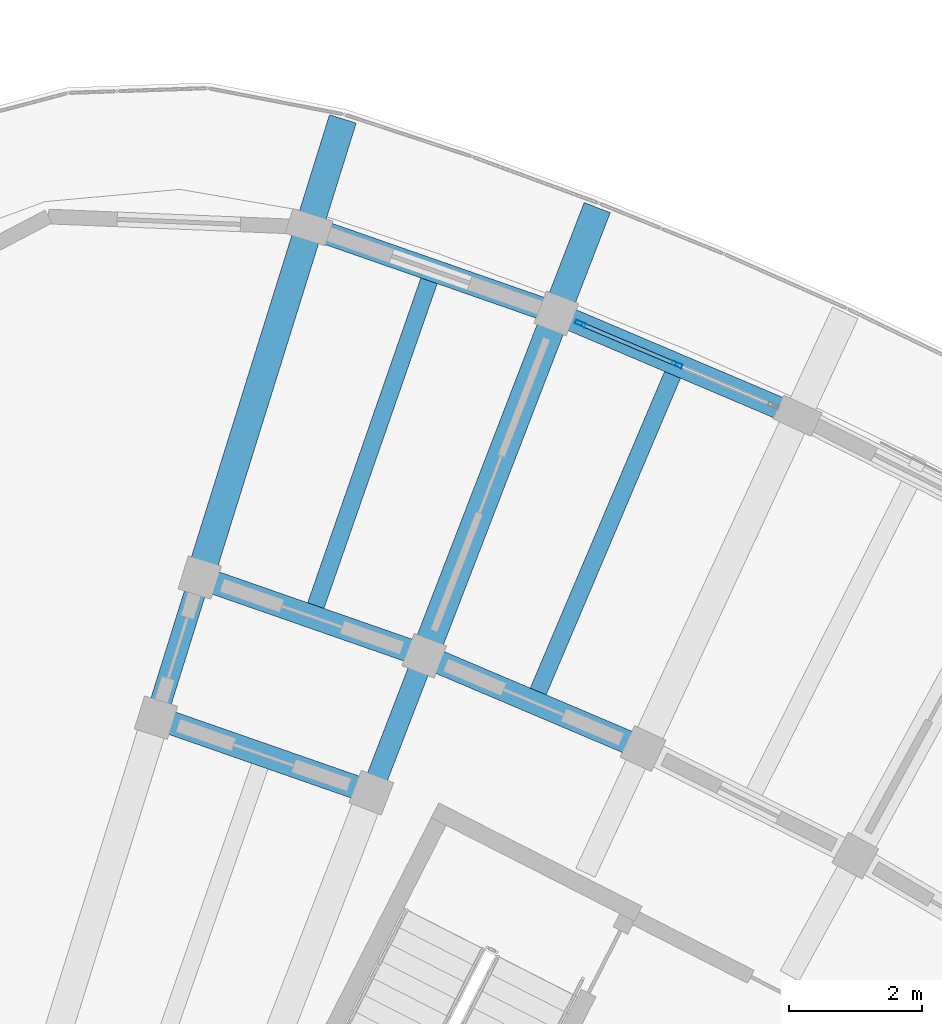
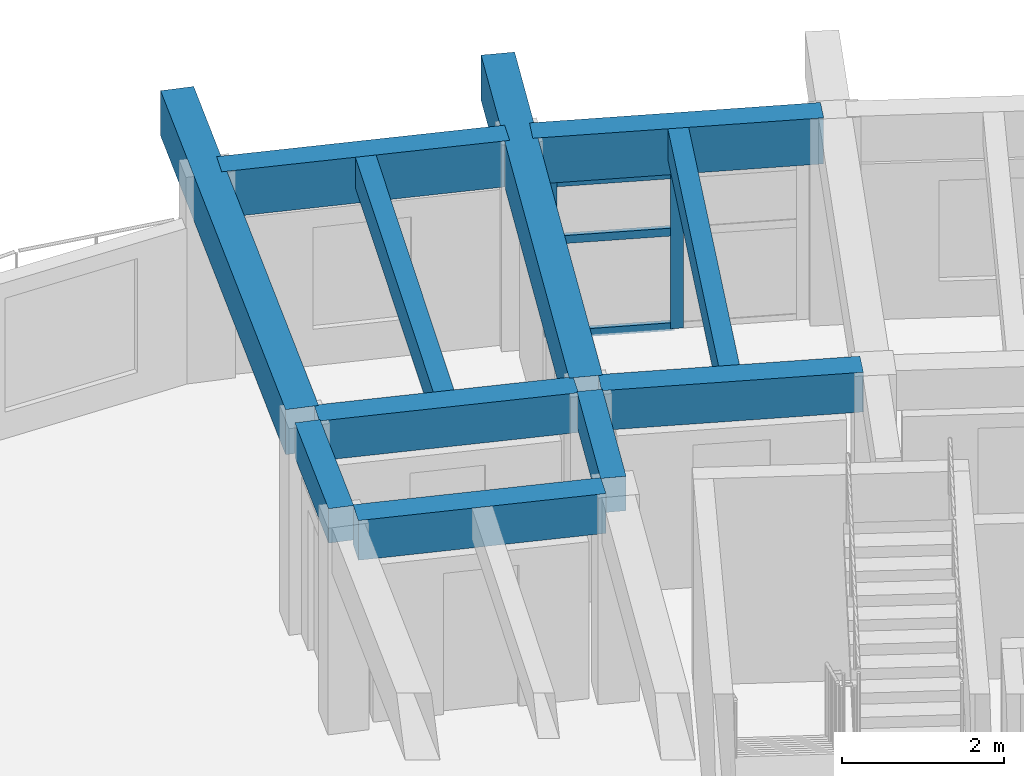
# One storey, part 12 of 36: 11 beams, 5 members, 1 element without a shape of its own.
"""IFC4 building model written with IfcOpenShell, lengths in metres."""

from ifc_helpers import new_model, si_unit, direction, frame, origin, origin_2d, place, context, subcontext, project, spatial, rectangle, hollow_rectangle, extrude, material, material_profile, profile_set, type_object, element, aggregate, save


model = new_model("IFC4")

# Units and contexts
model_context = context("Model", 3, precision=1e-05, world=origin(), true_north=direction((0.0, 1.0)))
body_context = subcontext(model_context, "Body", "Model", "MODEL_VIEW")
ifc_project = project(units=[si_unit("LENGTHUNIT", "METRE"), si_unit("AREAUNIT", "SQUARE_METRE"), si_unit("VOLUMEUNIT", "CUBIC_METRE"), si_unit("PLANEANGLEUNIT", "RADIAN"), si_unit("MASSUNIT", "GRAM", prefix="KILO")], contexts=[model_context])

# Site, building, storey
site_placement = place(None, origin())
site = spatial("IfcSite", under=ifc_project, at=site_placement, CompositionType="ELEMENT")
building_placement = place(site_placement, origin())
building = spatial("IfcBuilding", under=site, at=building_placement, Name="Tanwirah Colonnade Gardens", CompositionType="ELEMENT")
storey_placement = place(building_placement, frame((0.0, 0.0, 39.080078125)))
storey = spatial("IfcBuildingStorey", under=building, at=storey_placement, Name="L11", CompositionType="ELEMENT", Elevation=39.080078125)

# Beams
ifc_material_1 = material(Name="Precast concrete C40/50", Category="concrete")
ifc_material_profile_1 = material_profile(ifc_material_1, rectangle(XDim=0.320068359375, YDim=0.52001953125, at=origin_2d()), Name="PC-BM 320x520")
ifc_profile_set_1 = profile_set([ifc_material_profile_1], Name="Precast concrete C40/50")
beam_type_1 = type_object("IfcBeamType", Name="BM-PC320", PredefinedType="BEAM", material=ifc_profile_set_1)
for number, where, z_axis, x_axis, name in (
    (1, (139.729248046875, 108.7099609375, 2.85986328125), (0.360175656082, 0.932884503444, 0.0), (-0.932884503444, 0.360175656082, 0.0), "Block B L11 Corridor Tie Beam 14"),
    (2, (136.492431640625, 109.838623046875, 2.85986328125), (0.297857918398, 0.954610213882, 0.0), (-0.954610213882, 0.297857918398, 0.0), "Block B L11 Corridor Tie Beam 15"),
):
    element("IfcBeam", number, at=place(storey_placement, frame(where, z_axis=z_axis, x_axis=x_axis)), inside=storey, type_object=beam_type_1, Name=name, PredefinedType="BEAM", context=body_context, shape_type="SweptSolid", body=[
        extrude(rectangle(XDim=0.320068359375, YDim=0.52001953125, at=origin_2d()), origin(), (0.0, 0.0, 1.0), 1.89990234375),
    ])
ifc_material_profile_2 = material_profile(ifc_material_1, rectangle(XDim=0.35009765625, YDim=0.60009765625, at=origin_2d()), Name="PC-BM 350x600")
ifc_profile_set_2 = profile_set([ifc_material_profile_2], Name="Precast concrete C40/50")
beam_type_2 = type_object("IfcBeamType", Name="BM-PC350B", PredefinedType="BEAM", material=ifc_profile_set_2)
beam_1_placement = place(storey_placement, frame((143.609375, 109.288818359375, 2.81982421875), z_axis=(-0.920513294115, 0.390711242938, 0.0), x_axis=(-0.390711242938, -0.920513294115, 0.0)))
element("IfcBeam", 3, at=beam_1_placement, inside=storey, type_object=beam_type_2, Name="Block B L11 Circumferential Beam 13-R2", PredefinedType="BEAM", context=body_context, shape_type="SweptSolid", body=[
    extrude(rectangle(XDim=0.35009765625, YDim=0.60009765625, at=origin_2d()), origin(), (0.0, 0.0, 1.0), 3.262939453125),
])
beam_2_placement = place(storey_placement, frame((139.53369140625, 108.619384765625, 2.81982421875), z_axis=(-0.944248304077, 0.329234172358, 0.0), x_axis=(-0.329234172358, -0.944248304077, 0.0)))
element("IfcBeam", 4, at=beam_2_placement, inside=storey, type_object=beam_type_2, Name="Block B L11 Circumferential Beam 14-R1", PredefinedType="BEAM", context=body_context, shape_type="SweptSolid", body=[
    extrude(rectangle(XDim=0.35009765625, YDim=0.60009765625, at=origin_2d()), origin(), (0.0, 0.0, 1.0), 3.1181640625),
])
beam_3_placement = place(storey_placement, frame((140.325927734375, 110.671630859375, 2.81982421875), z_axis=(-0.944231021702, 0.329283734272, 0.0), x_axis=(-0.329283734272, -0.944231021702, 0.0)))
element("IfcBeam", 5, at=beam_3_placement, inside=storey, type_object=beam_type_2, Name="Block B L11 Circumferential Beam 14-R2", PredefinedType="BEAM", context=body_context, shape_type="SweptSolid", body=[
    extrude(rectangle(XDim=0.35009765625, YDim=0.60009765625, at=origin_2d()), origin(), (0.0, 0.0, 1.0), 3.262939453125),
])
ifc_material_2 = material(Name="Precast concrete C45/55", Category="concrete")
ifc_material_profile_3 = material_profile(ifc_material_2, rectangle(XDim=0.419921875, YDim=0.679931640625, at=origin_2d()), Name="PC-BM 420x680")
ifc_profile_set_3 = profile_set([ifc_material_profile_3], Name="Precast concrete C45/55")
beam_type_3 = type_object("IfcBeamType", Name="BM-PC420", PredefinedType="BEAM", material=ifc_profile_set_3)
for number, where, z_axis, x_axis, name in (
    (6, (140.521728515625, 110.76220703125, 2.780029296875), (0.360150678391, 0.932894146651, 0.0), (-0.932894146651, 0.360150678391, 0.0), "Block B L11 Outer Radial Precast Girder 14"),
    (7, (137.147705078125, 111.938720703125, 2.780029296875), (0.297957513373, 0.954579132511, 0.0), (-0.954579132511, 0.297957513373, 0.0), "Block B L11 Outer Radial Precast Girder 15"),
):
    element("IfcBeam", number, at=place(storey_placement, frame(where, z_axis=z_axis, x_axis=x_axis)), inside=storey, type_object=beam_type_3, Name=name, PredefinedType="BEAM", context=body_context, shape_type="SweptSolid", body=[
        extrude(rectangle(XDim=0.419921875, YDim=0.679931640625, at=origin_2d()), origin(), (0.0, 0.0, 1.0), 7.050048828125),
    ])

# Curtain wall, members
ifc_material_3 = material(Name="Bronze-anodised aluminium and solar-control low-E glass", Category="aluminium")
curtain_wall_type = type_object("IfcCurtainWallType", Name="CW-LOB", PredefinedType="NOTDEFINED", material=ifc_material_3)
curtain_wall_placement = place(storey_placement, origin())
curtain_wall = element("IfcCurtainWall", 8, at=curtain_wall_placement, inside=storey, type_object=curtain_wall_type, Name="Curtain Wall CW-B-L11-OUT-13", PredefinedType="NOTDEFINED")
ifc_material_4 = material(Name="Bronze-anodised aluminium", Category="aluminium")
ifc_material_profile_4 = material_profile(ifc_material_4, hollow_rectangle(XDim=0.06005859375, YDim=0.159912109375, WallThickness=0.00390625, at=origin_2d()), Name="CW-MUL 60x160x4")
ifc_profile_set_4 = profile_set([ifc_material_profile_4], Name="Bronze-anodised aluminium")
member_type_1 = type_object("IfcMemberType", Name="CWM-60x160", PredefinedType="MULLION", material=ifc_profile_set_4)
member_1_placement = place(storey_placement, frame((144.25537109375, 114.986328125, 0.0), z_axis=(0.0, 0.0, 1.0), x_axis=(-0.390729607022, -0.920505499276, 0.0)))
member_1 = element("IfcMember", 9, at=member_1_placement, type_object=member_type_1, Name="CW-LOB mullion 2", PredefinedType="MULLION", context=body_context, shape_type="SweptSolid", body=[
    extrude(hollow_rectangle(XDim=0.06005859375, YDim=0.159912109375, WallThickness=0.00390625, at=origin_2d()), origin(), (0.0, 0.0, 1.0), 2.35498046875),
])
member_2_placement = place(storey_placement, frame((142.8076171875, 115.600830078125, 0.0), z_axis=(0.0, 0.0, 1.0), x_axis=(-0.390729607022, -0.920505499276, 0.0)))
member_2 = element("IfcMember", 10, at=member_2_placement, type_object=member_type_1, Name="CW-LOB mullion 3", PredefinedType="MULLION", context=body_context, shape_type="SweptSolid", body=[
    extrude(hollow_rectangle(XDim=0.06005859375, YDim=0.159912109375, WallThickness=0.00390625, at=origin_2d()), origin(), (0.0, 0.0, 1.0), 2.35498046875),
])
ifc_material_profile_5 = material_profile(ifc_material_4, hollow_rectangle(XDim=0.06005859375, YDim=0.1201171875, WallThickness=0.00390625, at=origin_2d()), Name="CW-TRN 60x120x4")
ifc_profile_set_5 = profile_set([ifc_material_profile_5], Name="Bronze-anodised aluminium")
member_type_2 = type_object("IfcMemberType", Name="CWT-60x120", PredefinedType="USERDEFINED", material=ifc_profile_set_5)
member_3_placement = place(storey_placement, frame((144.227783203125, 114.998046875, 0.030029296875), z_axis=(-0.920516714387, 0.3907031847, 0.0), x_axis=(-0.3907031847, -0.920516714387, 0.0)))
member_3 = element("IfcMember", 11, at=member_3_placement, type_object=member_type_2, Name="CW-LOB transom 2.1", ObjectType="TRANSOM", PredefinedType="USERDEFINED", context=body_context, shape_type="SweptSolid", body=[
    extrude(hollow_rectangle(XDim=0.06005859375, YDim=0.1201171875, WallThickness=0.00390625, at=origin_2d()), origin(), (0.0, 0.0, 1.0), 1.512939453125),
])
member_4_placement = place(storey_placement, frame((144.227783203125, 114.998046875, 1.4599609375), z_axis=(-0.920516714387, 0.3907031847, 0.0), x_axis=(-0.3907031847, -0.920516714387, 0.0)))
member_4 = element("IfcMember", 12, at=member_4_placement, type_object=member_type_2, Name="CW-LOB transom 2.2", ObjectType="TRANSOM", PredefinedType="USERDEFINED", context=body_context, shape_type="SweptSolid", body=[
    extrude(hollow_rectangle(XDim=0.06005859375, YDim=0.1201171875, WallThickness=0.00390625, at=origin_2d()), origin(), (0.0, 0.0, 1.0), 1.512939453125),
])
member_5_placement = place(storey_placement, frame((144.227783203125, 114.998046875, 2.324951171875), z_axis=(-0.920516714387, 0.3907031847, 0.0), x_axis=(-0.3907031847, -0.920516714387, 0.0)))
member_5 = element("IfcMember", 13, at=member_5_placement, type_object=member_type_2, Name="CW-LOB transom 2.3", ObjectType="TRANSOM", PredefinedType="USERDEFINED", context=body_context, shape_type="SweptSolid", body=[
    extrude(hollow_rectangle(XDim=0.06005859375, YDim=0.1201171875, WallThickness=0.00390625, at=origin_2d()), origin(), (0.0, 0.0, 1.0), 1.512939453125),
])
aggregate(curtain_wall, [member_1, member_2, member_3, member_4, member_5])

# Beams
ifc_material_profile_6 = material_profile(ifc_material_1, rectangle(XDim=0.260009765625, YDim=0.4599609375, at=origin_2d()), Name="PC-JST 260x460")
ifc_profile_set_6 = profile_set([ifc_material_profile_6], Name="Precast concrete C40/50")
beam_type_4 = type_object("IfcBeamType", Name="JST-PC260", PredefinedType="JOIST", material=ifc_profile_set_6)
for number, where, z_axis, x_axis, name in (
    (14, (142.166015625, 110.063720703125, 2.889892578125), (0.390723870106, 0.92050793442, 0.0), (-0.92050793442, 0.390723870106, 0.0), "Block B L11 Precast Floor Joist 13"),
    (15, (138.83447265625, 111.349853515625, 2.889892578125), (0.3292586038, 0.944239785131, 0.0), (-0.944239785131, 0.3292586038, 0.0), "Block B L11 Precast Floor Joist 14"),
):
    element("IfcBeam", number, at=place(storey_placement, frame(where, z_axis=z_axis, x_axis=x_axis)), inside=storey, type_object=beam_type_4, Name=name, PredefinedType="JOIST", context=body_context, shape_type="SweptSolid", body=[
        extrude(rectangle(XDim=0.260009765625, YDim=0.4599609375, at=origin_2d()), origin(), (0.0, 0.0, 1.0), 5.260009765625),
    ])
ifc_material_profile_7 = material_profile(ifc_material_1, rectangle(XDim=0.3349609375, YDim=0.695068359375, at=origin_2d()), Name="PC-SP 335x695")
ifc_profile_set_7 = profile_set([ifc_material_profile_7], Name="Precast concrete C40/50")
beam_type_5 = type_object("IfcBeamType", Name="SP-PC300", PredefinedType="SPANDREL", material=ifc_profile_set_7)
for number, where, z_axis, x_axis, name in (
    (16, (145.924072265625, 114.27783203125, 2.7724609375), (-0.920494456807, 0.390755620545, 0.0), (-0.390755620545, -0.920494456807, 0.0), "Block B L11 Circumferential Beam 13-R3"),
    (17, (142.306884765625, 115.802490234375, 2.7724609375), (-0.944236700093, 0.329267450863, 0.0), (-0.329267450863, -0.944236700093, 0.0), "Block B L11 Circumferential Beam 14-R3"),
):
    element("IfcBeam", number, at=place(storey_placement, frame(where, z_axis=z_axis, x_axis=x_axis)), inside=storey, type_object=beam_type_5, Name=name, PredefinedType="SPANDREL", context=body_context, shape_type="SweptSolid", body=[
        extrude(rectangle(XDim=0.3349609375, YDim=0.695068359375, at=origin_2d()), origin(), (0.0, 0.0, 1.0), 3.625732421875),
    ])

save(model, "model.ifc")
